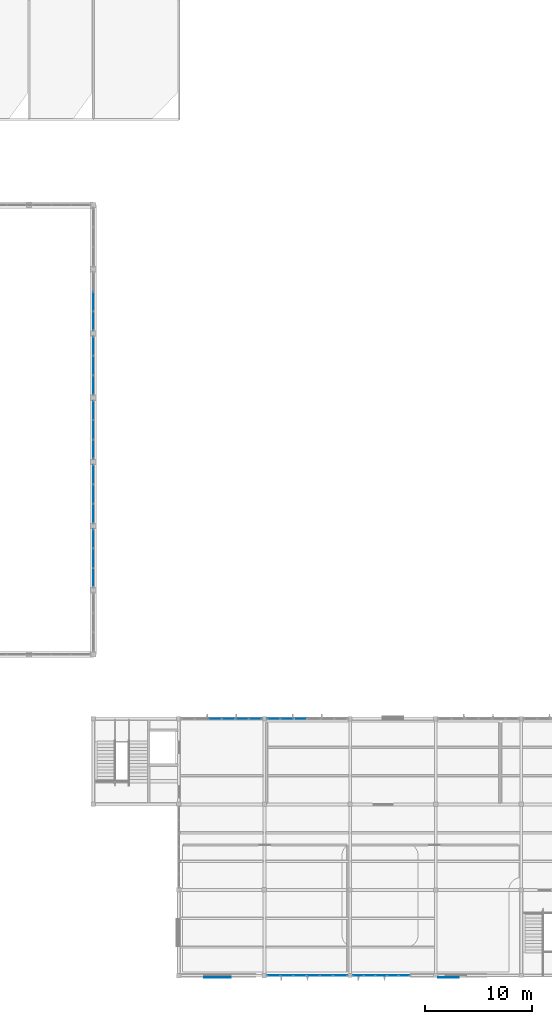
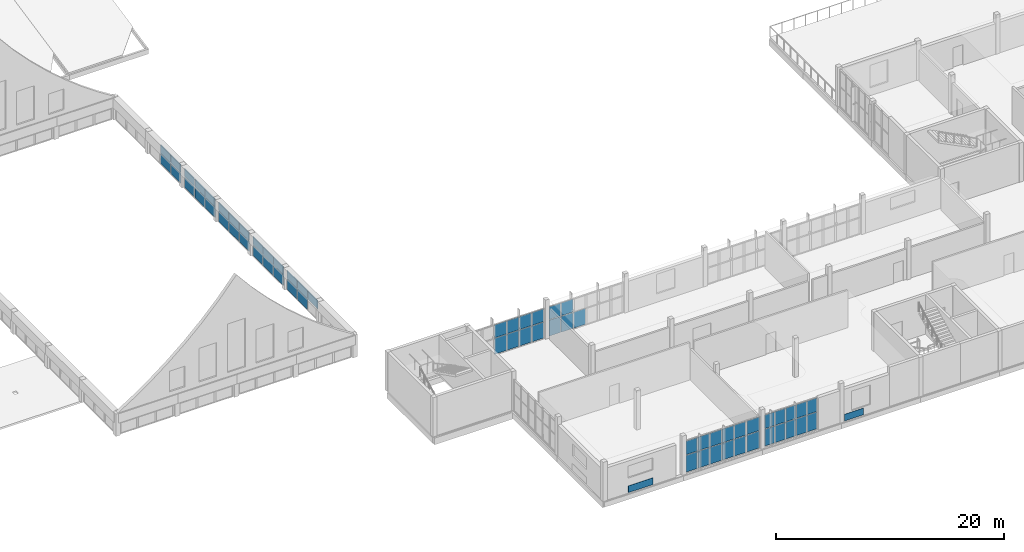
# One storey, part 26 of 45: 64 plates, 10 elements without a shape of their own.
"""IFC4 building model written with IfcOpenShell, lengths in metres."""

import ifcopenshell
import ifcopenshell.guid

model = None  # the IFC model being written
_history = None  # IfcOwnerHistory: only IFC2X3 demands one
_inside = {}  # id of a spatial element -> (the spatial element, [elements in it])
_under = {}  # id of a project, library or spatial element -> (it, [spatial elements below it])
_declared = {}  # id of a project -> (the project, [libraries it declares])
_typed = {}  # id of a type object -> (the type object, [elements of that type])
_made_of = {}  # id of a material, layer set ... -> (it, [elements and type objects made of it])


def new_model(schema):
    """Start an empty IFC model of exactly this schema.

    Asked for "IFC4X3", IfcOpenShell would pick the latest addendum, in which some entities
    have other attributes; the version numbers below select the first issue.
    IFC2X3 requires an IfcOwnerHistory on every rooted entity: one is made here for all.
    """
    global model, _history
    if schema == "IFC4X3":
        model = ifcopenshell.file(schema_version=(4, 3, 0, 0))
    else:
        model = ifcopenshell.file(schema=schema)
    _inside.clear()
    _under.clear()
    _declared.clear()
    _typed.clear()
    _made_of.clear()
    _history = None
    if model.schema == "IFC2X3":
        org = make("IfcOrganization", Name="unknown")
        user = make(
            "IfcPersonAndOrganization",
            ThePerson=make("IfcPerson", FamilyName="unknown"),
            TheOrganization=org,
        )
        app = make(
            "IfcApplication",
            ApplicationDeveloper=org,
            Version="unknown",
            ApplicationFullName="unknown",
            ApplicationIdentifier="unknown",
        )
        _history = make(
            "IfcOwnerHistory",
            OwningUser=user,
            OwningApplication=app,
            ChangeAction="ADDED",
            CreationDate=0,
        )
    return model


def make(cls, **values):
    """One entity of the class cls with the attributes given. An attribute that is None is left unset."""
    return model.create_entity(
        cls, **{name: value for name, value in values.items() if value is not None}
    )


def rooted(cls, **values):
    """An entity with a GlobalId (a new one), such as an element, a storey or a relation."""
    return make(cls, GlobalId=ifcopenshell.guid.new(), OwnerHistory=_history, **values)


def si_unit(unit_type, name, prefix=None):
    """IfcSIUnit, for example si_unit("LENGTHUNIT", "METRE", prefix="MILLI")."""
    return make("IfcSIUnit", UnitType=unit_type, Prefix=prefix, Name=name)


def assignment(units):
    """IfcUnitAssignment: the units of a project."""
    return None if units is None else make("IfcUnitAssignment", Units=units)


def point(xyz):
    """IfcCartesianPoint."""
    return None if xyz is None else make("IfcCartesianPoint", Coordinates=xyz)


def direction(xyz):
    """IfcDirection."""
    return None if xyz is None else make("IfcDirection", DirectionRatios=xyz)


def frame(location, z_axis=None, x_axis=None):
    """IfcAxis2Placement3D, a coordinate frame: its origin and axes. An axis left out is left unset."""
    return make(
        "IfcAxis2Placement3D",
        Location=point(location),
        Axis=direction(z_axis),
        RefDirection=direction(x_axis),
    )


def frame_2d(location, x_axis=None):
    """IfcAxis2Placement2D, a coordinate frame in the plane: its origin and x axis."""
    return make(
        "IfcAxis2Placement2D", Location=point(location), RefDirection=direction(x_axis)
    )


def origin():
    """The frame at (0, 0, 0) with its axes left unset."""
    return frame((0.0, 0.0, 0.0))


def origin_2d():
    """The frame at (0, 0) in the plane with its x axis left unset."""
    return frame_2d((0.0, 0.0))


def place(relative_to, where):
    """IfcLocalPlacement: puts the frame where relative to a parent placement (None: the world)."""
    return make(
        "IfcLocalPlacement", PlacementRelTo=relative_to, RelativePlacement=where
    )


def context(
    kind, dimensions, precision=None, world=None, true_north=None, identifier=None
):
    """IfcGeometricRepresentationContext, for example the 3D "Model" context."""
    return make(
        "IfcGeometricRepresentationContext",
        ContextIdentifier=identifier,
        ContextType=kind,
        CoordinateSpaceDimension=dimensions,
        Precision=precision,
        WorldCoordinateSystem=world,
        TrueNorth=true_north,
    )


def subcontext(parent, identifier, kind, view, scale=None):
    """IfcGeometricRepresentationSubContext, for example "Body" below "Model"."""
    return make(
        "IfcGeometricRepresentationSubContext",
        ContextIdentifier=identifier,
        ContextType=kind,
        ParentContext=parent,
        TargetScale=scale,
        TargetView=view,
    )


def project(units=None, contexts=None):
    """IfcProject with its units and contexts."""
    return rooted(
        "IfcProject",
        Name="project",
        RepresentationContexts=contexts,
        UnitsInContext=assignment(units),
    )


def spatial(cls, under=None, at=None, **own):
    """A site, building, storey or space (cls), placed at a placement, below another one or the project."""
    s = rooted(cls, ObjectPlacement=at, **own)
    if under is not None:
        _under.setdefault(under.id(), (under, []))[1].append(s)
    return s


def profile(cls, at=None, kind="AREA", **sizes):
    """A parametric profile (cls). Its sizes go by their IFC names, for example OverallWidth=200.0."""
    return make(cls, ProfileType=kind, Position=at, **sizes)


def rectangle(**sizes):
    """IfcRectangleProfileDef."""
    return profile("IfcRectangleProfileDef", **sizes)


def extrude(swept, where, along, depth):
    """IfcExtrudedAreaSolid: the profile swept, set in the frame where, extruded along a direction by depth."""
    return make(
        "IfcExtrudedAreaSolid",
        SweptArea=swept,
        Position=where,
        ExtrudedDirection=direction(along),
        Depth=depth,
    )


def shape(context_of_items, identifier, shape_type, items):
    """IfcShapeRepresentation: the items that make up one representation, for example the "Body"."""
    return make(
        "IfcShapeRepresentation",
        ContextOfItems=context_of_items,
        RepresentationIdentifier=identifier,
        RepresentationType=shape_type,
        Items=items,
    )


def material(Name=None, Category=None):
    """IfcMaterial."""
    return make("IfcMaterial", Name=Name, Category=Category)


def layer(
    of_material, thickness, ventilated=None, Name=None, Category=None, Priority=None
):
    """IfcMaterialLayer: one layer of a wall or slab, of a material (None: an air gap)."""
    return make(
        "IfcMaterialLayer",
        Material=of_material,
        LayerThickness=thickness,
        IsVentilated=ventilated,
        Name=Name,
        Category=Category,
        Priority=Priority,
    )


def layer_set(layers, Name=None):
    """IfcMaterialLayerSet."""
    return make("IfcMaterialLayerSet", MaterialLayers=layers, LayerSetName=Name)


def made_of(thing, what):
    """Note that an element or type object is made of a material, layer set ...; save() writes the relation."""
    if what is not None:
        _made_of.setdefault(what.id(), (what, []))[1].append(thing)
    return thing


def type_object(cls, material=None, **own):
    """A type object (cls), such as IfcWallType, which elements share."""
    return made_of(rooted(cls, **own), material)


def element(
    cls,
    number,
    at=None,
    inside=None,
    cuts=None,
    type_object=None,
    material=None,
    context=None,
    identifier="Body",
    shape_type=None,
    held_by="IfcProductDefinitionShape",
    body=None,
    shapes=None,
    **own,
):
    """One element of the class cls, such as IfcWall. Its Tag is "e" and its number.

    at: its placement. inside: the storey or other place that contains it. cuts: it is an
    opening in that element (IfcRelVoidsElement). A single representation is given by context,
    identifier, shape_type and body (its items); several are given by shapes. held_by: the class
    of the entity that holds the representations. save() writes the other relations.
    """
    e = rooted(cls, Tag="e%d" % number, ObjectPlacement=at, **own)
    if body is not None:
        shapes = [shape(context, identifier, shape_type, body)]
    if shapes is not None:
        e.Representation = make(held_by, Representations=shapes)
    if inside is not None:
        _inside.setdefault(inside.id(), (inside, []))[1].append(e)
    if cuts is not None:
        rooted(
            "IfcRelVoidsElement", RelatingBuildingElement=cuts, RelatedOpeningElement=e
        )
    if type_object is not None:
        _typed.setdefault(type_object.id(), (type_object, []))[1].append(e)
    return made_of(e, material)


def aggregate(whole, parts):
    """IfcRelAggregates: a whole, such as a stair, and the parts it consists of."""
    return rooted("IfcRelAggregates", RelatingObject=whole, RelatedObjects=parts)


def save(model, path):
    """Write the relations noted so far, then the file.

    IfcRelAggregates (storeys below a building ...), IfcRelContainedInSpatialStructure (elements
    in a storey), IfcRelDefinesByType, IfcRelAssociatesMaterial and IfcRelDeclares: one each for
    every whole, place, type object, material and project.
    """
    for whole, parts in _under.values():
        aggregate(whole, parts)
    for where, things in _inside.values():
        rooted(
            "IfcRelContainedInSpatialStructure",
            RelatedElements=things,
            RelatingStructure=where,
        )
    for kind, things in _typed.values():
        rooted("IfcRelDefinesByType", RelatedObjects=things, RelatingType=kind)
    for what, things in _made_of.values():
        rooted("IfcRelAssociatesMaterial", RelatedObjects=things, RelatingMaterial=what)
    for by, libraries in _declared.values():
        rooted("IfcRelDeclares", RelatingContext=by, RelatedDefinitions=libraries)
    model.write(path)


model = new_model("IFC4")

# Units and contexts
model_context = context("Model", 3, precision=1e-05, world=origin(), true_north=direction((0.0, 1.0)))
body_context = subcontext(model_context, "Body", "Model", "MODEL_VIEW")
ifc_project = project(units=[si_unit("LENGTHUNIT", "METRE"), si_unit("AREAUNIT", "SQUARE_METRE"), si_unit("VOLUMEUNIT", "CUBIC_METRE"), si_unit("PLANEANGLEUNIT", "RADIAN"), si_unit("MASSUNIT", "GRAM", prefix="KILO")], contexts=[model_context])

# Site, building, storey
site_placement = place(None, origin())
site = spatial("IfcSite", under=ifc_project, at=site_placement, CompositionType="ELEMENT")
building_placement = place(site_placement, origin())
building = spatial("IfcBuilding", under=site, at=building_placement, Name="Solvane Community Centre", CompositionType="ELEMENT")
storey_placement = place(building_placement, frame((0.0, 0.0, 13.800048828125)))
storey = spatial("IfcBuildingStorey", under=building, at=storey_placement, Name="L03", CompositionType="ELEMENT", Elevation=13.800048828125)

# Plates
ifc_material_1 = material(Name="Anodised bronze aluminium AW-6063 T6", Category="aluminium")
ifc_layer_1 = layer(ifc_material_1, 0.02392578125)
ifc_layer_set_1 = layer_set([ifc_layer_1], Name="Anodised bronze aluminium AW-6063 T6")
plate_type_1 = type_object("IfcPlateType", Name="Bronze Spandrel Cassette 24mm", PredefinedType="SHEET", material=ifc_layer_set_1)
plate_1_placement = place(storey_placement, frame((93.199951171875, 5.81298828125, 0.06005859375), z_axis=(0.0, 0.0, 1.0), x_axis=(-1.0, 0.0, 0.0)))
element("IfcPlate", 1, at=plate_1_placement, inside=storey, type_object=plate_type_1, Name="Art Deco Spandrel SPC-L03-042", PredefinedType="SHEET", context=body_context, shape_type="SweptSolid", body=[
    extrude(rectangle(XDim=1.89990234375, YDim=0.02392578125, at=origin_2d()), origin(), (0.0, 0.0, 1.0), 0.719970703125),
])
plate_2_placement = place(storey_placement, frame((71.60009765625, 5.81298828125, 0.06005859375), z_axis=(0.0, 0.0, 1.0), x_axis=(-1.0, 0.0, 0.0)))
element("IfcPlate", 2, at=plate_2_placement, inside=storey, type_object=plate_type_1, Name="Art Deco Spandrel SPC-L03-043", PredefinedType="SHEET", context=body_context, shape_type="SweptSolid", body=[
    extrude(rectangle(XDim=2.5, YDim=0.02392578125, at=origin_2d()), origin(), (0.0, 0.0, 1.0), 0.719970703125),
])

# Curtain wall, plates
ifc_layer_2 = layer(ifc_material_1, 0.199951171875)
ifc_layer_set_2 = layer_set([ifc_layer_2], Name="Anodised bronze aluminium AW-6063 T6")
curtain_wall_type_1 = type_object("IfcCurtainWallType", Name="Courtyard Cloister Curtain Wall [14x34dm]", PredefinedType="NOTDEFINED", material=ifc_layer_set_2)
curtain_wall_1_placement = place(storey_placement, origin())
curtain_wall_1 = element("IfcCurtainWall", 3, at=curtain_wall_1_placement, inside=storey, type_object=curtain_wall_type_1, Name="Curtain Wall CW-L03-838_60-218", PredefinedType="NOTDEFINED")
ifc_material_2 = material(Name="Tempered low-E double glazing", Category="glass")
ifc_layer_3 = layer(ifc_material_2, 0.028076171875)
ifc_layer_set_3 = layer_set([ifc_layer_3], Name="Tempered low-E double glazing")
plate_type_2 = type_object("IfcPlateType", Name="Cloister Vision Glazing Panel 28mm [14x34dm]", PredefinedType="CURTAIN_PANEL", material=ifc_layer_set_3)
plate_3_placement = place(storey_placement, frame((83.092529296875, 6.0, 0.06005859375), z_axis=(0.0, 0.0, 1.0), x_axis=(-1.0, 0.0, 0.0)))
plate_3 = element("IfcPlate", 4, at=plate_3_placement, type_object=plate_type_2, Name="CW03-14x34 panel 1.1", PredefinedType="CURTAIN_PANEL", context=body_context, shape_type="SweptSolid", body=[
    extrude(rectangle(XDim=1.264892578125, YDim=0.028076171875, at=origin_2d()), origin(), (0.0, 0.0, 1.0), 1.804931640625),
])
plate_4_placement = place(storey_placement, frame((83.092529296875, 6.0, 1.925048828125), z_axis=(0.0, 0.0, 1.0), x_axis=(-1.0, 0.0, 0.0)))
plate_4 = element("IfcPlate", 5, at=plate_4_placement, type_object=plate_type_2, Name="CW03-14x34 panel 1.2", PredefinedType="CURTAIN_PANEL", context=body_context, shape_type="SweptSolid", body=[
    extrude(rectangle(XDim=1.264892578125, YDim=0.028076171875, at=origin_2d()), origin(), (0.0, 0.0, 1.0), 1.4599609375),
])
aggregate(curtain_wall_1, [plate_3, plate_4])

ifc_layer_4 = layer(ifc_material_1, 0.199951171875)
ifc_layer_set_4 = layer_set([ifc_layer_4], Name="Anodised bronze aluminium AW-6063 T6")
curtain_wall_type_2 = type_object("IfcCurtainWallType", Name="Courtyard Cloister Curtain Wall [54x34dm]", PredefinedType="NOTDEFINED", material=ifc_layer_set_4)
curtain_wall_2_placement = place(storey_placement, origin())
curtain_wall_2 = element("IfcCurtainWall", 6, at=curtain_wall_2_placement, inside=storey, type_object=curtain_wall_type_2, Name="Curtain Wall CW-L03-896_60-217", PredefinedType="NOTDEFINED")
ifc_layer_5 = layer(ifc_material_2, 0.028076171875)
ifc_layer_set_5 = layer_set([ifc_layer_5], Name="Tempered low-E double glazing")
plate_type_3 = type_object("IfcPlateType", Name="Cloister Vision Glazing Panel 28mm [54x34dm]", PredefinedType="CURTAIN_PANEL", material=ifc_layer_set_5)
plate_5_placement = place(storey_placement, frame((89.04638671875, 6.0, 0.06005859375), z_axis=(0.0, 0.0, 1.0), x_axis=(-1.0, 0.0, 0.0)))
plate_5 = element("IfcPlate", 7, at=plate_5_placement, type_object=plate_type_3, Name="CW03-54x34 panel 1.1", PredefinedType="CURTAIN_PANEL", context=body_context, shape_type="SweptSolid", body=[
    extrude(rectangle(XDim=0.987060546875, YDim=0.028076171875, at=origin_2d()), origin(), (0.0, 0.0, 1.0), 1.804931640625),
])
plate_6_placement = place(storey_placement, frame((89.04638671875, 6.0, 1.925048828125), z_axis=(0.0, 0.0, 1.0), x_axis=(-1.0, 0.0, 0.0)))
plate_6 = element("IfcPlate", 8, at=plate_6_placement, type_object=plate_type_3, Name="CW03-54x34 panel 1.2", PredefinedType="CURTAIN_PANEL", context=body_context, shape_type="SweptSolid", body=[
    extrude(rectangle(XDim=0.987060546875, YDim=0.028076171875, at=origin_2d()), origin(), (0.0, 0.0, 1.0), 1.4599609375),
])
plate_7_placement = place(storey_placement, frame((87.984619140625, 6.0, 0.06005859375), z_axis=(0.0, 0.0, 1.0), x_axis=(-1.0, 0.0, 0.0)))
plate_7 = element("IfcPlate", 9, at=plate_7_placement, type_object=plate_type_3, Name="CW03-54x34 panel 2.1", PredefinedType="CURTAIN_PANEL", context=body_context, shape_type="SweptSolid", body=[
    extrude(rectangle(XDim=1.01708984375, YDim=0.028076171875, at=origin_2d()), origin(), (0.0, 0.0, 1.0), 1.804931640625),
])
plate_8_placement = place(storey_placement, frame((87.984619140625, 6.0, 1.925048828125), z_axis=(0.0, 0.0, 1.0), x_axis=(-1.0, 0.0, 0.0)))
plate_8 = element("IfcPlate", 10, at=plate_8_placement, type_object=plate_type_3, Name="CW03-54x34 panel 2.2", PredefinedType="CURTAIN_PANEL", context=body_context, shape_type="SweptSolid", body=[
    extrude(rectangle(XDim=1.01708984375, YDim=0.028076171875, at=origin_2d()), origin(), (0.0, 0.0, 1.0), 1.4599609375),
])
plate_9_placement = place(storey_placement, frame((86.907470703125, 6.0, 0.06005859375), z_axis=(0.0, 0.0, 1.0), x_axis=(-1.0, 0.0, 0.0)))
plate_9 = element("IfcPlate", 11, at=plate_9_placement, type_object=plate_type_3, Name="CW03-54x34 panel 3.1", PredefinedType="CURTAIN_PANEL", context=body_context, shape_type="SweptSolid", body=[
    extrude(rectangle(XDim=1.01708984375, YDim=0.028076171875, at=origin_2d()), origin(), (0.0, 0.0, 1.0), 1.804931640625),
])
plate_10_placement = place(storey_placement, frame((86.907470703125, 6.0, 1.925048828125), z_axis=(0.0, 0.0, 1.0), x_axis=(-1.0, 0.0, 0.0)))
plate_10 = element("IfcPlate", 12, at=plate_10_placement, type_object=plate_type_3, Name="CW03-54x34 panel 3.2", PredefinedType="CURTAIN_PANEL", context=body_context, shape_type="SweptSolid", body=[
    extrude(rectangle(XDim=1.01708984375, YDim=0.028076171875, at=origin_2d()), origin(), (0.0, 0.0, 1.0), 1.4599609375),
])
plate_11_placement = place(storey_placement, frame((85.83056640625, 6.0, 0.06005859375), z_axis=(0.0, 0.0, 1.0), x_axis=(-1.0, 0.0, 0.0)))
plate_11 = element("IfcPlate", 13, at=plate_11_placement, type_object=plate_type_3, Name="CW03-54x34 panel 4.1", PredefinedType="CURTAIN_PANEL", context=body_context, shape_type="SweptSolid", body=[
    extrude(rectangle(XDim=1.01708984375, YDim=0.028076171875, at=origin_2d()), origin(), (0.0, 0.0, 1.0), 1.804931640625),
])
plate_12_placement = place(storey_placement, frame((85.83056640625, 6.0, 1.925048828125), z_axis=(0.0, 0.0, 1.0), x_axis=(-1.0, 0.0, 0.0)))
plate_12 = element("IfcPlate", 14, at=plate_12_placement, type_object=plate_type_3, Name="CW03-54x34 panel 4.2", PredefinedType="CURTAIN_PANEL", context=body_context, shape_type="SweptSolid", body=[
    extrude(rectangle(XDim=1.01708984375, YDim=0.028076171875, at=origin_2d()), origin(), (0.0, 0.0, 1.0), 1.4599609375),
])
plate_13_placement = place(storey_placement, frame((84.7685546875, 6.0, 0.06005859375), z_axis=(0.0, 0.0, 1.0), x_axis=(-1.0, 0.0, 0.0)))
plate_13 = element("IfcPlate", 15, at=plate_13_placement, type_object=plate_type_3, Name="CW03-54x34 panel 5.1", PredefinedType="CURTAIN_PANEL", context=body_context, shape_type="SweptSolid", body=[
    extrude(rectangle(XDim=0.987060546875, YDim=0.028076171875, at=origin_2d()), origin(), (0.0, 0.0, 1.0), 1.804931640625),
])
plate_14_placement = place(storey_placement, frame((84.7685546875, 6.0, 1.925048828125), z_axis=(0.0, 0.0, 1.0), x_axis=(-1.0, 0.0, 0.0)))
plate_14 = element("IfcPlate", 16, at=plate_14_placement, type_object=plate_type_3, Name="CW03-54x34 panel 5.2", PredefinedType="CURTAIN_PANEL", context=body_context, shape_type="SweptSolid", body=[
    extrude(rectangle(XDim=0.987060546875, YDim=0.028076171875, at=origin_2d()), origin(), (0.0, 0.0, 1.0), 1.4599609375),
])
aggregate(curtain_wall_2, [plate_5, plate_6, plate_7, plate_8, plate_9, plate_10, plate_11, plate_12, plate_13, plate_14])

ifc_layer_6 = layer(ifc_material_1, 0.199951171875)
ifc_layer_set_6 = layer_set([ifc_layer_6], Name="Anodised bronze aluminium AW-6063 T6")
curtain_wall_type_3 = type_object("IfcCurtainWallType", Name="Courtyard Cloister Curtain Wall [62x34dm]", PredefinedType="NOTDEFINED", material=ifc_layer_set_6)
curtain_wall_3_placement = place(storey_placement, origin())
curtain_wall_3 = element("IfcCurtainWall", 17, at=curtain_wall_3_placement, inside=storey, type_object=curtain_wall_type_3, Name="Curtain Wall CW-L03-824_60-219", PredefinedType="NOTDEFINED")
ifc_layer_7 = layer(ifc_material_2, 0.028076171875)
ifc_layer_set_7 = layer_set([ifc_layer_7], Name="Tempered low-E double glazing")
plate_type_4 = type_object("IfcPlateType", Name="Cloister Vision Glazing Panel 28mm [62x34dm]", PredefinedType="CURTAIN_PANEL", material=ifc_layer_set_7)
plate_15_placement = place(storey_placement, frame((81.767578125, 6.0, 0.06005859375), z_axis=(0.0, 0.0, 1.0), x_axis=(-1.0, 0.0, 0.0)))
plate_15 = element("IfcPlate", 18, at=plate_15_placement, type_object=plate_type_4, Name="CW03-62x34 panel 1.1", PredefinedType="CURTAIN_PANEL", context=body_context, shape_type="SweptSolid", body=[
    extrude(rectangle(XDim=1.14501953125, YDim=0.028076171875, at=origin_2d()), origin(), (0.0, 0.0, 1.0), 1.804931640625),
])
plate_16_placement = place(storey_placement, frame((81.767578125, 6.0, 1.925048828125), z_axis=(0.0, 0.0, 1.0), x_axis=(-1.0, 0.0, 0.0)))
plate_16 = element("IfcPlate", 19, at=plate_16_placement, type_object=plate_type_4, Name="CW03-62x34 panel 1.2", PredefinedType="CURTAIN_PANEL", context=body_context, shape_type="SweptSolid", body=[
    extrude(rectangle(XDim=1.14501953125, YDim=0.028076171875, at=origin_2d()), origin(), (0.0, 0.0, 1.0), 1.4599609375),
])
plate_17_placement = place(storey_placement, frame((80.547607421875, 6.0, 0.06005859375), z_axis=(0.0, 0.0, 1.0), x_axis=(-1.0, 0.0, 0.0)))
plate_17 = element("IfcPlate", 20, at=plate_17_placement, type_object=plate_type_4, Name="CW03-62x34 panel 2.1", PredefinedType="CURTAIN_PANEL", context=body_context, shape_type="SweptSolid", body=[
    extrude(rectangle(XDim=1.175048828125, YDim=0.028076171875, at=origin_2d()), origin(), (0.0, 0.0, 1.0), 1.804931640625),
])
plate_18_placement = place(storey_placement, frame((80.547607421875, 6.0, 1.925048828125), z_axis=(0.0, 0.0, 1.0), x_axis=(-1.0, 0.0, 0.0)))
plate_18 = element("IfcPlate", 21, at=plate_18_placement, type_object=plate_type_4, Name="CW03-62x34 panel 2.2", PredefinedType="CURTAIN_PANEL", context=body_context, shape_type="SweptSolid", body=[
    extrude(rectangle(XDim=1.175048828125, YDim=0.028076171875, at=origin_2d()), origin(), (0.0, 0.0, 1.0), 1.4599609375),
])
plate_19_placement = place(storey_placement, frame((79.3125, 6.0, 0.06005859375), z_axis=(0.0, 0.0, 1.0), x_axis=(-1.0, 0.0, 0.0)))
plate_19 = element("IfcPlate", 22, at=plate_19_placement, type_object=plate_type_4, Name="CW03-62x34 panel 3.1", PredefinedType="CURTAIN_PANEL", context=body_context, shape_type="SweptSolid", body=[
    extrude(rectangle(XDim=1.175048828125, YDim=0.028076171875, at=origin_2d()), origin(), (0.0, 0.0, 1.0), 1.804931640625),
])
plate_20_placement = place(storey_placement, frame((79.3125, 6.0, 1.925048828125), z_axis=(0.0, 0.0, 1.0), x_axis=(-1.0, 0.0, 0.0)))
plate_20 = element("IfcPlate", 23, at=plate_20_placement, type_object=plate_type_4, Name="CW03-62x34 panel 3.2", PredefinedType="CURTAIN_PANEL", context=body_context, shape_type="SweptSolid", body=[
    extrude(rectangle(XDim=1.175048828125, YDim=0.028076171875, at=origin_2d()), origin(), (0.0, 0.0, 1.0), 1.4599609375),
])
plate_21_placement = place(storey_placement, frame((78.077392578125, 6.0, 0.06005859375), z_axis=(0.0, 0.0, 1.0), x_axis=(-1.0, 0.0, 0.0)))
plate_21 = element("IfcPlate", 24, at=plate_21_placement, type_object=plate_type_4, Name="CW03-62x34 panel 4.1", PredefinedType="CURTAIN_PANEL", context=body_context, shape_type="SweptSolid", body=[
    extrude(rectangle(XDim=1.175048828125, YDim=0.028076171875, at=origin_2d()), origin(), (0.0, 0.0, 1.0), 1.804931640625),
])
plate_22_placement = place(storey_placement, frame((78.077392578125, 6.0, 1.925048828125), z_axis=(0.0, 0.0, 1.0), x_axis=(-1.0, 0.0, 0.0)))
plate_22 = element("IfcPlate", 25, at=plate_22_placement, type_object=plate_type_4, Name="CW03-62x34 panel 4.2", PredefinedType="CURTAIN_PANEL", context=body_context, shape_type="SweptSolid", body=[
    extrude(rectangle(XDim=1.175048828125, YDim=0.028076171875, at=origin_2d()), origin(), (0.0, 0.0, 1.0), 1.4599609375),
])
plate_23_placement = place(storey_placement, frame((76.857421875, 6.0, 0.06005859375), z_axis=(0.0, 0.0, 1.0), x_axis=(-1.0, 0.0, 0.0)))
plate_23 = element("IfcPlate", 26, at=plate_23_placement, type_object=plate_type_4, Name="CW03-62x34 panel 5.1", PredefinedType="CURTAIN_PANEL", context=body_context, shape_type="SweptSolid", body=[
    extrude(rectangle(XDim=1.14501953125, YDim=0.028076171875, at=origin_2d()), origin(), (0.0, 0.0, 1.0), 1.804931640625),
])
plate_24_placement = place(storey_placement, frame((76.857421875, 6.0, 1.925048828125), z_axis=(0.0, 0.0, 1.0), x_axis=(-1.0, 0.0, 0.0)))
plate_24 = element("IfcPlate", 27, at=plate_24_placement, type_object=plate_type_4, Name="CW03-62x34 panel 5.2", PredefinedType="CURTAIN_PANEL", context=body_context, shape_type="SweptSolid", body=[
    extrude(rectangle(XDim=1.14501953125, YDim=0.028076171875, at=origin_2d()), origin(), (0.0, 0.0, 1.0), 1.4599609375),
])
aggregate(curtain_wall_3, [plate_15, plate_16, plate_17, plate_18, plate_19, plate_20, plate_21, plate_22, plate_23, plate_24])

ifc_layer_8 = layer(ifc_material_1, 0.199951171875)
ifc_layer_set_8 = layer_set([ifc_layer_8], Name="Anodised bronze aluminium AW-6063 T6")
curtain_wall_type_4 = type_object("IfcCurtainWallType", Name="Courtyard Cloister Curtain Wall [76x33dm]", PredefinedType="NOTDEFINED", material=ifc_layer_set_8)
curtain_wall_4_placement = place(storey_placement, origin())
curtain_wall_4 = element("IfcCurtainWall", 28, at=curtain_wall_4_placement, inside=storey, type_object=curtain_wall_type_4, Name="Curtain Wall CW-L03-682_300-221", PredefinedType="NOTDEFINED")
ifc_layer_9 = layer(ifc_material_2, 0.028076171875)
ifc_layer_set_9 = layer_set([ifc_layer_9], Name="Tempered low-E double glazing")
plate_type_5 = type_object("IfcPlateType", Name="Cloister Vision Glazing Panel 28mm [76x33dm]", PredefinedType="CURTAIN_PANEL", material=ifc_layer_set_9)
plate_25_placement = place(storey_placement, frame((71.369140625, 30.0, 0.059814453125), z_axis=(0.0, 0.0, 1.0), x_axis=(1.0, 0.0, 0.0)))
plate_25 = element("IfcPlate", 29, at=plate_25_placement, type_object=plate_type_5, Name="CW03-76x33 panel 3.1", PredefinedType="CURTAIN_PANEL", context=body_context, shape_type="SweptSolid", body=[
    extrude(rectangle(XDim=1.20166015625, YDim=0.028076171875, at=origin_2d()), origin(), (0.0, 0.0, 1.0), 1.7060546875),
])
plate_26_placement = place(storey_placement, frame((71.369140625, 30.0, 1.825927734375), z_axis=(0.0, 0.0, 1.0), x_axis=(1.0, 0.0, 0.0)))
plate_26 = element("IfcPlate", 30, at=plate_26_placement, type_object=plate_type_5, Name="CW03-76x33 panel 3.2", PredefinedType="CURTAIN_PANEL", context=body_context, shape_type="SweptSolid", body=[
    extrude(rectangle(XDim=1.20166015625, YDim=0.028076171875, at=origin_2d()), origin(), (0.0, 0.0, 1.0), 1.37890625),
])
plate_27_placement = place(storey_placement, frame((72.630859375, 30.0, 0.059814453125), z_axis=(0.0, 0.0, 1.0), x_axis=(1.0, 0.0, 0.0)))
plate_27 = element("IfcPlate", 31, at=plate_27_placement, type_object=plate_type_5, Name="CW03-76x33 panel 4.1", PredefinedType="CURTAIN_PANEL", context=body_context, shape_type="SweptSolid", body=[
    extrude(rectangle(XDim=1.20166015625, YDim=0.028076171875, at=origin_2d()), origin(), (0.0, 0.0, 1.0), 1.7060546875),
])
plate_28_placement = place(storey_placement, frame((72.630859375, 30.0, 1.825927734375), z_axis=(0.0, 0.0, 1.0), x_axis=(1.0, 0.0, 0.0)))
plate_28 = element("IfcPlate", 32, at=plate_28_placement, type_object=plate_type_5, Name="CW03-76x33 panel 4.2", PredefinedType="CURTAIN_PANEL", context=body_context, shape_type="SweptSolid", body=[
    extrude(rectangle(XDim=1.20166015625, YDim=0.028076171875, at=origin_2d()), origin(), (0.0, 0.0, 1.0), 1.37890625),
])
plate_29_placement = place(storey_placement, frame((73.892578125, 30.0, 0.059814453125), z_axis=(0.0, 0.0, 1.0), x_axis=(1.0, 0.0, 0.0)))
plate_29 = element("IfcPlate", 33, at=plate_29_placement, type_object=plate_type_5, Name="CW03-76x33 panel 5.1", PredefinedType="CURTAIN_PANEL", context=body_context, shape_type="SweptSolid", body=[
    extrude(rectangle(XDim=1.20166015625, YDim=0.028076171875, at=origin_2d()), origin(), (0.0, 0.0, 1.0), 1.7060546875),
])
plate_30_placement = place(storey_placement, frame((73.892578125, 30.0, 1.825927734375), z_axis=(0.0, 0.0, 1.0), x_axis=(1.0, 0.0, 0.0)))
plate_30 = element("IfcPlate", 34, at=plate_30_placement, type_object=plate_type_5, Name="CW03-76x33 panel 5.2", PredefinedType="CURTAIN_PANEL", context=body_context, shape_type="SweptSolid", body=[
    extrude(rectangle(XDim=1.20166015625, YDim=0.028076171875, at=origin_2d()), origin(), (0.0, 0.0, 1.0), 1.37890625),
])
plate_31_placement = place(storey_placement, frame((75.13916015625, 30.0, 0.059814453125), z_axis=(0.0, 0.0, 1.0), x_axis=(1.0, 0.0, 0.0)))
plate_31 = element("IfcPlate", 35, at=plate_31_placement, type_object=plate_type_5, Name="CW03-76x33 panel 6.1", PredefinedType="CURTAIN_PANEL", context=body_context, shape_type="SweptSolid", body=[
    extrude(rectangle(XDim=1.171630859375, YDim=0.028076171875, at=origin_2d()), origin(), (0.0, 0.0, 1.0), 1.7060546875),
])
plate_32_placement = place(storey_placement, frame((75.13916015625, 30.0, 1.825927734375), z_axis=(0.0, 0.0, 1.0), x_axis=(1.0, 0.0, 0.0)))
plate_32 = element("IfcPlate", 36, at=plate_32_placement, type_object=plate_type_5, Name="CW03-76x33 panel 6.2", PredefinedType="CURTAIN_PANEL", context=body_context, shape_type="SweptSolid", body=[
    extrude(rectangle(XDim=1.171630859375, YDim=0.028076171875, at=origin_2d()), origin(), (0.0, 0.0, 1.0), 1.37890625),
])
aggregate(curtain_wall_4, [plate_25, plate_26, plate_27, plate_28, plate_29, plate_30, plate_31, plate_32])

curtain_wall_5_placement = place(storey_placement, origin())
curtain_wall_5 = element("IfcCurtainWall", 37, at=curtain_wall_5_placement, inside=storey, type_object=curtain_wall_type_4, Name="Curtain Wall CW-L03-762_300-222", PredefinedType="NOTDEFINED")
plate_33_placement = place(storey_placement, frame((76.86083984375, 30.0, 0.059814453125), z_axis=(0.0, 0.0, 1.0), x_axis=(1.0, 0.0, 0.0)))
plate_33 = element("IfcPlate", 38, at=plate_33_placement, type_object=plate_type_5, Name="CW03-76x33 panel 1.1", PredefinedType="CURTAIN_PANEL", context=body_context, shape_type="SweptSolid", body=[
    extrude(rectangle(XDim=1.171630859375, YDim=0.028076171875, at=origin_2d()), origin(), (0.0, 0.0, 1.0), 1.7060546875),
])
plate_34_placement = place(storey_placement, frame((76.86083984375, 30.0, 1.825927734375), z_axis=(0.0, 0.0, 1.0), x_axis=(1.0, 0.0, 0.0)))
plate_34 = element("IfcPlate", 39, at=plate_34_placement, type_object=plate_type_5, Name="CW03-76x33 panel 1.2", PredefinedType="CURTAIN_PANEL", context=body_context, shape_type="SweptSolid", body=[
    extrude(rectangle(XDim=1.171630859375, YDim=0.028076171875, at=origin_2d()), origin(), (0.0, 0.0, 1.0), 1.37890625),
])
plate_35_placement = place(storey_placement, frame((78.107421875, 30.0, 0.059814453125), z_axis=(0.0, 0.0, 1.0), x_axis=(1.0, 0.0, 0.0)))
plate_35 = element("IfcPlate", 40, at=plate_35_placement, type_object=plate_type_5, Name="CW03-76x33 panel 2.1", PredefinedType="CURTAIN_PANEL", context=body_context, shape_type="SweptSolid", body=[
    extrude(rectangle(XDim=1.20166015625, YDim=0.028076171875, at=origin_2d()), origin(), (0.0, 0.0, 1.0), 1.7060546875),
])
plate_36_placement = place(storey_placement, frame((78.107421875, 30.0, 1.825927734375), z_axis=(0.0, 0.0, 1.0), x_axis=(1.0, 0.0, 0.0)))
plate_36 = element("IfcPlate", 41, at=plate_36_placement, type_object=plate_type_5, Name="CW03-76x33 panel 2.2", PredefinedType="CURTAIN_PANEL", context=body_context, shape_type="SweptSolid", body=[
    extrude(rectangle(XDim=1.20166015625, YDim=0.028076171875, at=origin_2d()), origin(), (0.0, 0.0, 1.0), 1.37890625),
])
plate_37_placement = place(storey_placement, frame((79.369140625, 30.0, 0.059814453125), z_axis=(0.0, 0.0, 1.0), x_axis=(1.0, 0.0, 0.0)))
plate_37 = element("IfcPlate", 42, at=plate_37_placement, type_object=plate_type_5, Name="CW03-76x33 panel 3.1", PredefinedType="CURTAIN_PANEL", context=body_context, shape_type="SweptSolid", body=[
    extrude(rectangle(XDim=1.20166015625, YDim=0.028076171875, at=origin_2d()), origin(), (0.0, 0.0, 1.0), 1.7060546875),
])
aggregate(curtain_wall_5, [plate_33, plate_34, plate_35, plate_36, plate_37])

ifc_layer_10 = layer(ifc_material_1, 0.179931640625)
ifc_layer_set_10 = layer_set([ifc_layer_10], Name="Anodised bronze aluminium AW-6063 T6")
curtain_wall_type_5 = type_object("IfcCurtainWallType", Name="Hall Translucent Upper Curtain Wall [55x22dm]", PredefinedType="NOTDEFINED", material=ifc_layer_set_10)
curtain_wall_6_placement = place(storey_placement, origin())
curtain_wall_6 = element("IfcCurtainWall", 43, at=curtain_wall_6_placement, inside=storey, type_object=curtain_wall_type_5, Name="Curtain Wall CW-L03-600_423-144", PredefinedType="NOTDEFINED")
ifc_material_3 = material(Name="Translucent polycarbonate panel")
ifc_layer_11 = layer(ifc_material_3, 0.028076171875)
ifc_layer_set_11 = layer_set([ifc_layer_11], Name="Translucent polycarbonate panel")
plate_type_6 = type_object("IfcPlateType", Name="Translucent Polycarbonate Panel 28mm [55x22dm]", PredefinedType="CURTAIN_PANEL", material=ifc_layer_set_11)
plate_38_placement = place(storey_placement, frame((60.0, 43.18505859375, 1.22900390625), z_axis=(0.0, 0.0, 1.0), x_axis=(0.0, 1.0, 0.0)))
plate_38 = element("IfcPlate", 44, at=plate_38_placement, type_object=plate_type_6, Name="CW01-55x22 panel 1.2", PredefinedType="CURTAIN_PANEL", context=body_context, shape_type="SweptSolid", body=[
    extrude(rectangle(XDim=1.739990234375, YDim=0.028076171875, at=origin_2d()), origin(), (0.0, 0.0, 1.0), 0.89111328125),
])
plate_39_placement = place(storey_placement, frame((60.0, 45.0, 0.06005859375), z_axis=(0.0, 0.0, 1.0), x_axis=(0.0, 1.0, 0.0)))
plate_39 = element("IfcPlate", 45, at=plate_39_placement, type_object=plate_type_6, Name="CW01-55x22 panel 2.1", PredefinedType="CURTAIN_PANEL", context=body_context, shape_type="SweptSolid", body=[
    extrude(rectangle(XDim=1.77001953125, YDim=0.028076171875, at=origin_2d()), origin(), (0.0, 0.0, 1.0), 1.10888671875),
])
plate_40_placement = place(storey_placement, frame((60.0, 45.0, 1.22900390625), z_axis=(0.0, 0.0, 1.0), x_axis=(0.0, 1.0, 0.0)))
plate_40 = element("IfcPlate", 46, at=plate_40_placement, type_object=plate_type_6, Name="CW01-55x22 panel 2.2", PredefinedType="CURTAIN_PANEL", context=body_context, shape_type="SweptSolid", body=[
    extrude(rectangle(XDim=1.77001953125, YDim=0.028076171875, at=origin_2d()), origin(), (0.0, 0.0, 1.0), 0.89111328125),
])
plate_41_placement = place(storey_placement, frame((60.0, 46.81494140625, 0.06005859375), z_axis=(0.0, 0.0, 1.0), x_axis=(0.0, 1.0, 0.0)))
plate_41 = element("IfcPlate", 47, at=plate_41_placement, type_object=plate_type_6, Name="CW01-55x22 panel 3.1", PredefinedType="CURTAIN_PANEL", context=body_context, shape_type="SweptSolid", body=[
    extrude(rectangle(XDim=1.739990234375, YDim=0.028076171875, at=origin_2d()), origin(), (0.0, 0.0, 1.0), 1.10888671875),
])
plate_42_placement = place(storey_placement, frame((60.0, 46.81494140625, 1.22900390625), z_axis=(0.0, 0.0, 1.0), x_axis=(0.0, 1.0, 0.0)))
plate_42 = element("IfcPlate", 48, at=plate_42_placement, type_object=plate_type_6, Name="CW01-55x22 panel 3.2", PredefinedType="CURTAIN_PANEL", context=body_context, shape_type="SweptSolid", body=[
    extrude(rectangle(XDim=1.739990234375, YDim=0.028076171875, at=origin_2d()), origin(), (0.0, 0.0, 1.0), 0.89111328125),
])
aggregate(curtain_wall_6, [plate_38, plate_39, plate_40, plate_41, plate_42])

curtain_wall_7_placement = place(storey_placement, origin())
curtain_wall_7 = element("IfcCurtainWall", 49, at=curtain_wall_7_placement, inside=storey, type_object=curtain_wall_type_5, Name="Curtain Wall CW-L03-600_483-145", PredefinedType="NOTDEFINED")
plate_43_placement = place(storey_placement, frame((60.0, 49.18505859375, 0.06005859375), z_axis=(0.0, 0.0, 1.0), x_axis=(0.0, 1.0, 0.0)))
plate_43 = element("IfcPlate", 50, at=plate_43_placement, type_object=plate_type_6, Name="CW01-55x22 panel 1.1", PredefinedType="CURTAIN_PANEL", context=body_context, shape_type="SweptSolid", body=[
    extrude(rectangle(XDim=1.739990234375, YDim=0.028076171875, at=origin_2d()), origin(), (0.0, 0.0, 1.0), 1.10888671875),
])
plate_44_placement = place(storey_placement, frame((60.0, 49.18505859375, 1.22900390625), z_axis=(0.0, 0.0, 1.0), x_axis=(0.0, 1.0, 0.0)))
plate_44 = element("IfcPlate", 51, at=plate_44_placement, type_object=plate_type_6, Name="CW01-55x22 panel 1.2", PredefinedType="CURTAIN_PANEL", context=body_context, shape_type="SweptSolid", body=[
    extrude(rectangle(XDim=1.739990234375, YDim=0.028076171875, at=origin_2d()), origin(), (0.0, 0.0, 1.0), 0.89111328125),
])
plate_45_placement = place(storey_placement, frame((60.0, 51.0, 0.06005859375), z_axis=(0.0, 0.0, 1.0), x_axis=(0.0, 1.0, 0.0)))
plate_45 = element("IfcPlate", 52, at=plate_45_placement, type_object=plate_type_6, Name="CW01-55x22 panel 2.1", PredefinedType="CURTAIN_PANEL", context=body_context, shape_type="SweptSolid", body=[
    extrude(rectangle(XDim=1.77001953125, YDim=0.028076171875, at=origin_2d()), origin(), (0.0, 0.0, 1.0), 1.10888671875),
])
plate_46_placement = place(storey_placement, frame((60.0, 51.0, 1.22900390625), z_axis=(0.0, 0.0, 1.0), x_axis=(0.0, 1.0, 0.0)))
plate_46 = element("IfcPlate", 53, at=plate_46_placement, type_object=plate_type_6, Name="CW01-55x22 panel 2.2", PredefinedType="CURTAIN_PANEL", context=body_context, shape_type="SweptSolid", body=[
    extrude(rectangle(XDim=1.77001953125, YDim=0.028076171875, at=origin_2d()), origin(), (0.0, 0.0, 1.0), 0.89111328125),
])
plate_47_placement = place(storey_placement, frame((60.0, 52.81494140625, 0.06005859375), z_axis=(0.0, 0.0, 1.0), x_axis=(0.0, 1.0, 0.0)))
plate_47 = element("IfcPlate", 54, at=plate_47_placement, type_object=plate_type_6, Name="CW01-55x22 panel 3.1", PredefinedType="CURTAIN_PANEL", context=body_context, shape_type="SweptSolid", body=[
    extrude(rectangle(XDim=1.739990234375, YDim=0.028076171875, at=origin_2d()), origin(), (0.0, 0.0, 1.0), 1.10888671875),
])
plate_48_placement = place(storey_placement, frame((60.0, 52.81494140625, 1.22900390625), z_axis=(0.0, 0.0, 1.0), x_axis=(0.0, 1.0, 0.0)))
plate_48 = element("IfcPlate", 55, at=plate_48_placement, type_object=plate_type_6, Name="CW01-55x22 panel 3.2", PredefinedType="CURTAIN_PANEL", context=body_context, shape_type="SweptSolid", body=[
    extrude(rectangle(XDim=1.739990234375, YDim=0.028076171875, at=origin_2d()), origin(), (0.0, 0.0, 1.0), 0.89111328125),
])
aggregate(curtain_wall_7, [plate_43, plate_44, plate_45, plate_46, plate_47, plate_48])

curtain_wall_8_placement = place(storey_placement, origin())
curtain_wall_8 = element("IfcCurtainWall", 56, at=curtain_wall_8_placement, inside=storey, type_object=curtain_wall_type_5, Name="Curtain Wall CW-L03-600_543-146", PredefinedType="NOTDEFINED")
plate_49_placement = place(storey_placement, frame((60.0, 55.18505859375, 0.06005859375), z_axis=(0.0, 0.0, 1.0), x_axis=(0.0, 1.0, 0.0)))
plate_49 = element("IfcPlate", 57, at=plate_49_placement, type_object=plate_type_6, Name="CW01-55x22 panel 1.1", PredefinedType="CURTAIN_PANEL", context=body_context, shape_type="SweptSolid", body=[
    extrude(rectangle(XDim=1.739990234375, YDim=0.028076171875, at=origin_2d()), origin(), (0.0, 0.0, 1.0), 1.10888671875),
])
plate_50_placement = place(storey_placement, frame((60.0, 55.18505859375, 1.22900390625), z_axis=(0.0, 0.0, 1.0), x_axis=(0.0, 1.0, 0.0)))
plate_50 = element("IfcPlate", 58, at=plate_50_placement, type_object=plate_type_6, Name="CW01-55x22 panel 1.2", PredefinedType="CURTAIN_PANEL", context=body_context, shape_type="SweptSolid", body=[
    extrude(rectangle(XDim=1.739990234375, YDim=0.028076171875, at=origin_2d()), origin(), (0.0, 0.0, 1.0), 0.89111328125),
])
plate_51_placement = place(storey_placement, frame((60.0, 57.0, 0.06005859375), z_axis=(0.0, 0.0, 1.0), x_axis=(0.0, 1.0, 0.0)))
plate_51 = element("IfcPlate", 59, at=plate_51_placement, type_object=plate_type_6, Name="CW01-55x22 panel 2.1", PredefinedType="CURTAIN_PANEL", context=body_context, shape_type="SweptSolid", body=[
    extrude(rectangle(XDim=1.77001953125, YDim=0.028076171875, at=origin_2d()), origin(), (0.0, 0.0, 1.0), 1.10888671875),
])
plate_52_placement = place(storey_placement, frame((60.0, 57.0, 1.22900390625), z_axis=(0.0, 0.0, 1.0), x_axis=(0.0, 1.0, 0.0)))
plate_52 = element("IfcPlate", 60, at=plate_52_placement, type_object=plate_type_6, Name="CW01-55x22 panel 2.2", PredefinedType="CURTAIN_PANEL", context=body_context, shape_type="SweptSolid", body=[
    extrude(rectangle(XDim=1.77001953125, YDim=0.028076171875, at=origin_2d()), origin(), (0.0, 0.0, 1.0), 0.89111328125),
])
plate_53_placement = place(storey_placement, frame((60.0, 58.81494140625, 0.06005859375), z_axis=(0.0, 0.0, 1.0), x_axis=(0.0, 1.0, 0.0)))
plate_53 = element("IfcPlate", 61, at=plate_53_placement, type_object=plate_type_6, Name="CW01-55x22 panel 3.1", PredefinedType="CURTAIN_PANEL", context=body_context, shape_type="SweptSolid", body=[
    extrude(rectangle(XDim=1.739990234375, YDim=0.028076171875, at=origin_2d()), origin(), (0.0, 0.0, 1.0), 1.10888671875),
])
plate_54_placement = place(storey_placement, frame((60.0, 58.81494140625, 1.22900390625), z_axis=(0.0, 0.0, 1.0), x_axis=(0.0, 1.0, 0.0)))
plate_54 = element("IfcPlate", 62, at=plate_54_placement, type_object=plate_type_6, Name="CW01-55x22 panel 3.2", PredefinedType="CURTAIN_PANEL", context=body_context, shape_type="SweptSolid", body=[
    extrude(rectangle(XDim=1.739990234375, YDim=0.028076171875, at=origin_2d()), origin(), (0.0, 0.0, 1.0), 0.89111328125),
])
aggregate(curtain_wall_8, [plate_49, plate_50, plate_51, plate_52, plate_53, plate_54])

curtain_wall_9_placement = place(storey_placement, origin())
curtain_wall_9 = element("IfcCurtainWall", 63, at=curtain_wall_9_placement, inside=storey, type_object=curtain_wall_type_5, Name="Curtain Wall CW-L03-600_603-147", PredefinedType="NOTDEFINED")
plate_55_placement = place(storey_placement, frame((60.0, 61.18505859375, 0.06005859375), z_axis=(0.0, 0.0, 1.0), x_axis=(0.0, 1.0, 0.0)))
plate_55 = element("IfcPlate", 64, at=plate_55_placement, type_object=plate_type_6, Name="CW01-55x22 panel 1.1", PredefinedType="CURTAIN_PANEL", context=body_context, shape_type="SweptSolid", body=[
    extrude(rectangle(XDim=1.739990234375, YDim=0.028076171875, at=origin_2d()), origin(), (0.0, 0.0, 1.0), 1.10888671875),
])
plate_56_placement = place(storey_placement, frame((60.0, 61.18505859375, 1.22900390625), z_axis=(0.0, 0.0, 1.0), x_axis=(0.0, 1.0, 0.0)))
plate_56 = element("IfcPlate", 65, at=plate_56_placement, type_object=plate_type_6, Name="CW01-55x22 panel 1.2", PredefinedType="CURTAIN_PANEL", context=body_context, shape_type="SweptSolid", body=[
    extrude(rectangle(XDim=1.739990234375, YDim=0.028076171875, at=origin_2d()), origin(), (0.0, 0.0, 1.0), 0.89111328125),
])
plate_57_placement = place(storey_placement, frame((60.0, 63.0, 0.06005859375), z_axis=(0.0, 0.0, 1.0), x_axis=(0.0, 1.0, 0.0)))
plate_57 = element("IfcPlate", 66, at=plate_57_placement, type_object=plate_type_6, Name="CW01-55x22 panel 2.1", PredefinedType="CURTAIN_PANEL", context=body_context, shape_type="SweptSolid", body=[
    extrude(rectangle(XDim=1.77001953125, YDim=0.028076171875, at=origin_2d()), origin(), (0.0, 0.0, 1.0), 1.10888671875),
])
plate_58_placement = place(storey_placement, frame((60.0, 63.0, 1.22900390625), z_axis=(0.0, 0.0, 1.0), x_axis=(0.0, 1.0, 0.0)))
plate_58 = element("IfcPlate", 67, at=plate_58_placement, type_object=plate_type_6, Name="CW01-55x22 panel 2.2", PredefinedType="CURTAIN_PANEL", context=body_context, shape_type="SweptSolid", body=[
    extrude(rectangle(XDim=1.77001953125, YDim=0.028076171875, at=origin_2d()), origin(), (0.0, 0.0, 1.0), 0.89111328125),
])
plate_59_placement = place(storey_placement, frame((60.0, 64.81494140625, 0.06005859375), z_axis=(0.0, 0.0, 1.0), x_axis=(0.0, 1.0, 0.0)))
plate_59 = element("IfcPlate", 68, at=plate_59_placement, type_object=plate_type_6, Name="CW01-55x22 panel 3.1", PredefinedType="CURTAIN_PANEL", context=body_context, shape_type="SweptSolid", body=[
    extrude(rectangle(XDim=1.739990234375, YDim=0.028076171875, at=origin_2d()), origin(), (0.0, 0.0, 1.0), 1.10888671875),
])
plate_60_placement = place(storey_placement, frame((60.0, 64.81494140625, 1.22900390625), z_axis=(0.0, 0.0, 1.0), x_axis=(0.0, 1.0, 0.0)))
plate_60 = element("IfcPlate", 69, at=plate_60_placement, type_object=plate_type_6, Name="CW01-55x22 panel 3.2", PredefinedType="CURTAIN_PANEL", context=body_context, shape_type="SweptSolid", body=[
    extrude(rectangle(XDim=1.739990234375, YDim=0.028076171875, at=origin_2d()), origin(), (0.0, 0.0, 1.0), 0.89111328125),
])
aggregate(curtain_wall_9, [plate_55, plate_56, plate_57, plate_58, plate_59, plate_60])

curtain_wall_10_placement = place(storey_placement, origin())
curtain_wall_10 = element("IfcCurtainWall", 70, at=curtain_wall_10_placement, inside=storey, type_object=curtain_wall_type_5, Name="Curtain Wall CW-L03-600_663-148", PredefinedType="NOTDEFINED")
plate_61_placement = place(storey_placement, frame((60.0, 67.18505859375, 0.06005859375), z_axis=(0.0, 0.0, 1.0), x_axis=(0.0, 1.0, 0.0)))
plate_61 = element("IfcPlate", 71, at=plate_61_placement, type_object=plate_type_6, Name="CW01-55x22 panel 1.1", PredefinedType="CURTAIN_PANEL", context=body_context, shape_type="SweptSolid", body=[
    extrude(rectangle(XDim=1.739990234375, YDim=0.028076171875, at=origin_2d()), origin(), (0.0, 0.0, 1.0), 1.10888671875),
])
plate_62_placement = place(storey_placement, frame((60.0, 67.18505859375, 1.22900390625), z_axis=(0.0, 0.0, 1.0), x_axis=(0.0, 1.0, 0.0)))
plate_62 = element("IfcPlate", 72, at=plate_62_placement, type_object=plate_type_6, Name="CW01-55x22 panel 1.2", PredefinedType="CURTAIN_PANEL", context=body_context, shape_type="SweptSolid", body=[
    extrude(rectangle(XDim=1.739990234375, YDim=0.028076171875, at=origin_2d()), origin(), (0.0, 0.0, 1.0), 0.89111328125),
])
plate_63_placement = place(storey_placement, frame((60.0, 69.0, 0.06005859375), z_axis=(0.0, 0.0, 1.0), x_axis=(0.0, 1.0, 0.0)))
plate_63 = element("IfcPlate", 73, at=plate_63_placement, type_object=plate_type_6, Name="CW01-55x22 panel 2.1", PredefinedType="CURTAIN_PANEL", context=body_context, shape_type="SweptSolid", body=[
    extrude(rectangle(XDim=1.77001953125, YDim=0.028076171875, at=origin_2d()), origin(), (0.0, 0.0, 1.0), 1.10888671875),
])
plate_64_placement = place(storey_placement, frame((60.0, 69.0, 1.22900390625), z_axis=(0.0, 0.0, 1.0), x_axis=(0.0, 1.0, 0.0)))
plate_64 = element("IfcPlate", 74, at=plate_64_placement, type_object=plate_type_6, Name="CW01-55x22 panel 2.2", PredefinedType="CURTAIN_PANEL", context=body_context, shape_type="SweptSolid", body=[
    extrude(rectangle(XDim=1.77001953125, YDim=0.028076171875, at=origin_2d()), origin(), (0.0, 0.0, 1.0), 0.89111328125),
])
aggregate(curtain_wall_10, [plate_61, plate_62, plate_63, plate_64])

save(model, "model.ifc")
